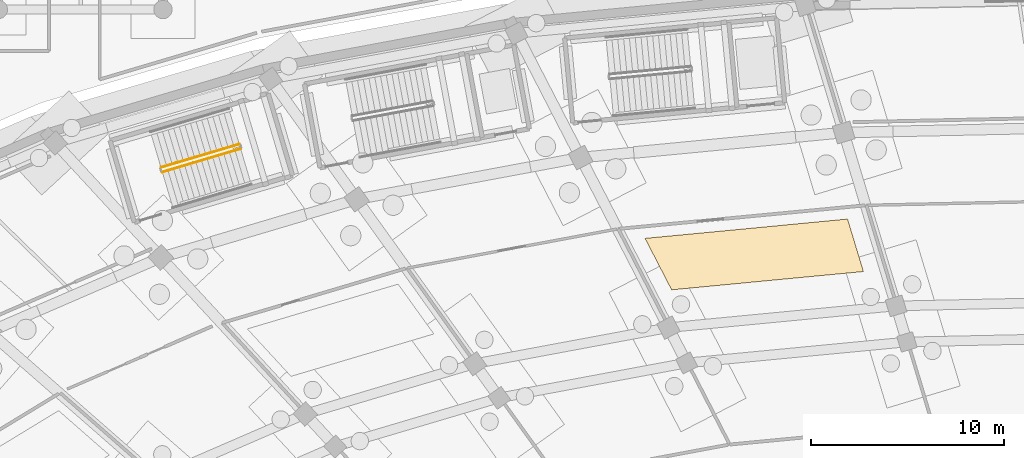
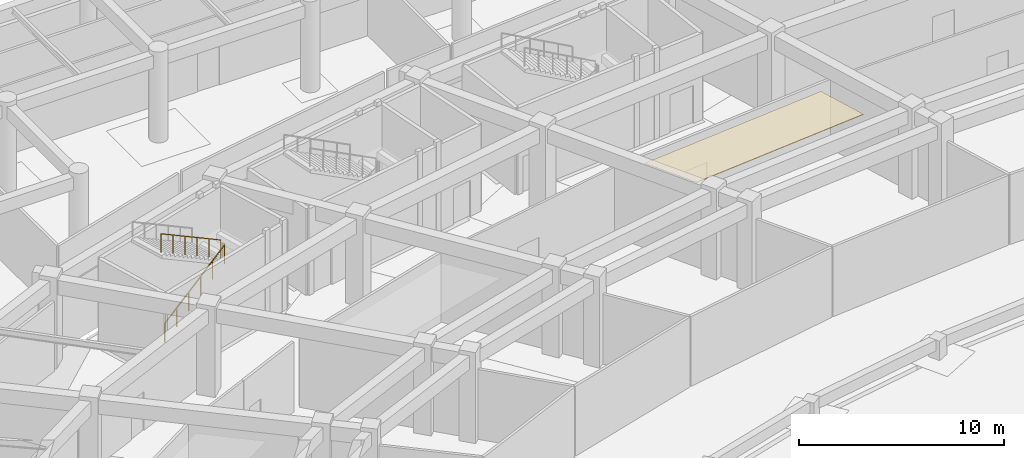
# One storey, part 83 of 88: 2 railings, 1 covering.
"""IFC4 building model written with IfcOpenShell, lengths in metres."""

from ifc_helpers import new_model, si_unit, direction, frame, origin, origin_2d, place, context, subcontext, project, spatial, polyline, circle, outline, extrude, material, layer, layer_set, type_object, element, save


model = new_model("IFC4")

# Units and contexts
model_context = context("Model", 3, precision=1e-05, world=origin(), true_north=direction((0.0, 1.0)))
body_context = subcontext(model_context, "Body", "Model", "MODEL_VIEW")
ifc_project = project(units=[si_unit("LENGTHUNIT", "METRE"), si_unit("AREAUNIT", "SQUARE_METRE"), si_unit("VOLUMEUNIT", "CUBIC_METRE"), si_unit("PLANEANGLEUNIT", "RADIAN"), si_unit("MASSUNIT", "GRAM", prefix="KILO")], contexts=[model_context])

# Site, building, storey
site_placement = place(None, origin())
site = spatial("IfcSite", under=ifc_project, at=site_placement, CompositionType="ELEMENT")
building_placement = place(site_placement, origin())
building = spatial("IfcBuilding", under=site, at=building_placement, Name="Mphavela Belvedere Stadium", CompositionType="ELEMENT")
storey_placement = place(building_placement, origin())
storey = spatial("IfcBuildingStorey", under=building, at=storey_placement, Name="L00", CompositionType="ELEMENT", Elevation=0.0)

# Covering
ifc_material_1 = material(Name="Perforated acoustic mineral ceiling tile")
ifc_layer = layer(ifc_material_1, 0.0400390625)
ifc_layer_set = layer_set([ifc_layer], Name="Perforated acoustic mineral ceiling tile")
covering_type = type_object("IfcCoveringType", Name="COV-CEILING-ACOUSTIC", PredefinedType="CEILING", material=ifc_layer_set)
covering_placement = place(storey_placement, frame((0.0, 0.0, 4.10009765625)))
element("IfcCovering", 1, at=covering_placement, inside=storey, type_object=covering_type, Name="Concourse acoustic ceiling L00-14", PredefinedType="CEILING", context=body_context, shape_type="SweptSolid", body=[
    extrude(outline(polyline([(95.889404296875, 146.43701171875), (85.961181640625, 145.490234375), (84.58447265625, 148.1552734375), (95.068115234375, 149.15478515625), (95.889404296875, 146.43701171875)])), origin(), (0.0, 0.0, 1.0), 0.039794921875),
])

# Railings
ifc_material_2 = material(Name="Painted galvanised steel stair guardrail", Category="steel")
railing_type = type_object("IfcRailingType", Name="RAL-GUARD-1120", PredefinedType="GUARDRAIL", material=ifc_material_2)
railing_1_placement = place(storey_placement, frame((59.60009765625, 151.58642578125, 0.179931640625)))
element("IfcRailing", 2, at=railing_1_placement, inside=storey, type_object=railing_type, Name="L00 ST-P03 stair guard 1", PredefinedType="GUARDRAIL", context=body_context, shape_type="SweptSolid", body=[
    extrude(circle(Radius=0.02392578125, at=origin_2d()), frame((0.0, 0.0, 1.09619140625), z_axis=(0.823491828592, 0.244388883235, 0.51199148625), x_axis=(-0.284507077541, 0.958673939788, 0.0)), (0.0, 0.0, 1.0), 4.921875),
    extrude(circle(Radius=0.02099609375, at=origin_2d()), origin(), (0.0, 0.0, 1.0), 1.072021484375),
    extrude(circle(Radius=0.02099609375, at=origin_2d()), frame((0.810546875, 0.240478515625, 0.50390625)), (0.0, 0.0, 1.0), 1.072021484375),
    extrude(circle(Radius=0.02099609375, at=origin_2d()), frame((1.621337890625, 0.481201171875, 1.008056640625)), (0.0, 0.0, 1.0), 1.072021484375),
    extrude(circle(Radius=0.02099609375, at=origin_2d()), frame((2.431884765625, 0.7216796875, 1.511962890625)), (0.0, 0.0, 1.0), 1.072021484375),
    extrude(circle(Radius=0.02099609375, at=origin_2d()), frame((3.24267578125, 0.96240234375, 2.01611328125)), (0.0, 0.0, 1.0), 1.072021484375),
    extrude(circle(Radius=0.02099609375, at=origin_2d()), frame((4.05322265625, 1.202880859375, 2.52001953125)), (0.0, 0.0, 1.0), 1.072021484375),
])
railing_2_placement = place(storey_placement, frame((63.58203125, 153.02880859375, 2.8798828125)))
element("IfcRailing", 3, at=railing_2_placement, inside=storey, type_object=railing_type, Name="L00 ST-P03 stair guard 3", PredefinedType="GUARDRAIL", context=body_context, shape_type="SweptSolid", body=[
    extrude(circle(Radius=0.02392578125, at=origin_2d()), frame((0.0, 0.0, 1.09619140625), z_axis=(-0.823491828592, -0.244388883235, 0.51199148625), x_axis=(0.284507077541, -0.958673939788, 0.0)), (0.0, 0.0, 1.0), 4.921875),
    extrude(circle(Radius=0.02099609375, at=origin_2d()), origin(), (0.0, 0.0, 1.0), 1.072021484375),
    extrude(circle(Radius=0.02099609375, at=origin_2d()), frame((-0.810546875, -0.240478515625, 0.50390625)), (0.0, 0.0, 1.0), 1.072021484375),
    extrude(circle(Radius=0.02099609375, at=origin_2d()), frame((-1.621337890625, -0.481201171875, 1.008056640625)), (0.0, 0.0, 1.0), 1.072021484375),
    extrude(circle(Radius=0.02099609375, at=origin_2d()), frame((-2.431884765625, -0.7216796875, 1.511962890625)), (0.0, 0.0, 1.0), 1.072021484375),
    extrude(circle(Radius=0.02099609375, at=origin_2d()), frame((-3.24267578125, -0.96240234375, 2.01611328125)), (0.0, 0.0, 1.0), 1.072021484375),
    extrude(circle(Radius=0.02099609375, at=origin_2d()), frame((-4.05322265625, -1.202880859375, 2.52001953125)), (0.0, 0.0, 1.0), 1.072021484375),
])

save(model, "model.ifc")
